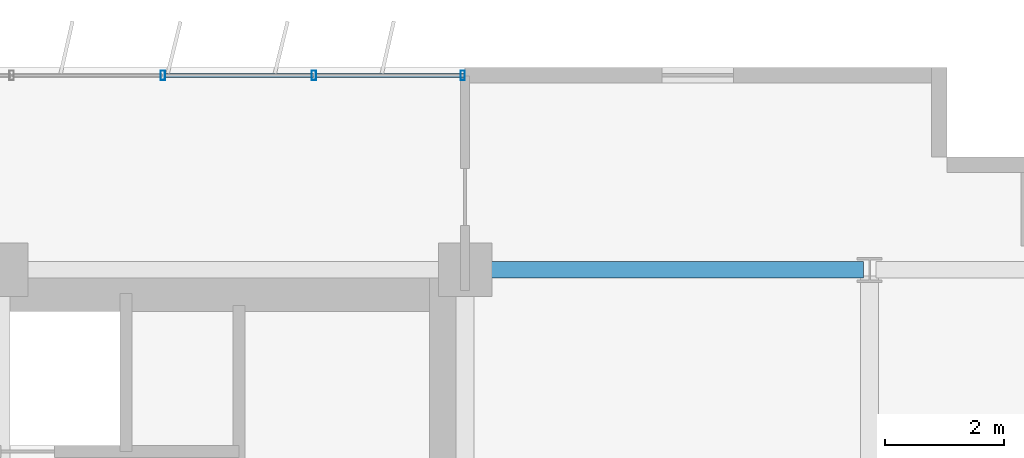
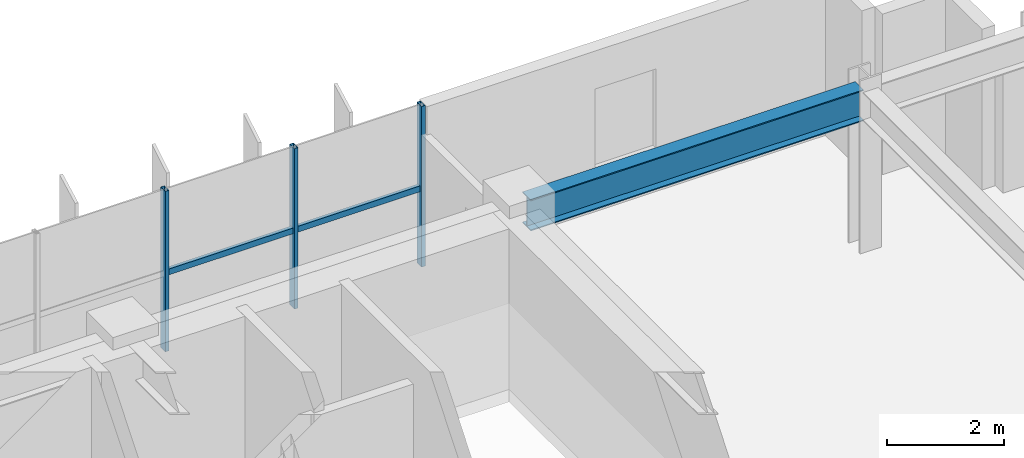
# One storey, part 12 of 22: 5 members, 1 beam, 1 element without a shape of its own.
"""IFC4 building model written with IfcOpenShell, lengths in metres."""

from ifc_helpers import new_model, si_unit, direction, frame, origin, origin_2d, place, context, subcontext, project, spatial, hollow_rectangle, i_section, extrude, source, transform, mapped, material, material_profile, profile_set, type_object, element, aggregate, save


model = new_model("IFC4")

# Units and contexts
model_context = context("Model", 3, precision=1e-05, world=origin(), true_north=direction((0.0, 1.0)))
body_context = subcontext(model_context, "Body", "Model", "MODEL_VIEW")
ifc_project = project(units=[si_unit("LENGTHUNIT", "METRE"), si_unit("AREAUNIT", "SQUARE_METRE"), si_unit("VOLUMEUNIT", "CUBIC_METRE"), si_unit("PLANEANGLEUNIT", "RADIAN"), si_unit("MASSUNIT", "GRAM", prefix="KILO")], contexts=[model_context])

# Site, building, storey
site_placement = place(None, origin())
site = spatial("IfcSite", under=ifc_project, at=site_placement, CompositionType="ELEMENT")
building_placement = place(site_placement, origin())
building = spatial("IfcBuilding", under=site, at=building_placement, Name="Trelvane Seafront Commons", CompositionType="ELEMENT")
storey_placement = place(building_placement, frame((0.0, 0.0, 55.89990234375)))
storey = spatial("IfcBuildingStorey", under=building, at=storey_placement, Name="L14", CompositionType="ELEMENT", Elevation=55.89990234375)

# Beam
ifc_material_1 = material(Name="Steel SM355 (S355)", Category="steel")
ifc_material_profile_1 = material_profile(ifc_material_1, i_section(OverallWidth=0.280029296875, OverallDepth=0.64990234375, WebThickness=0.012939453125, FlangeThickness=0.02197265625, at=origin_2d()), Name="H-650x280x13x22")
ifc_profile_set_1 = profile_set([ifc_material_profile_1], Name="Steel SM355 (S355)")
beam_type = type_object("IfcBeamType", Name="STR-BM-H650", PredefinedType="BEAM", material=ifc_profile_set_1)
shared_shape_1 = source(origin(), body_context, "Body", "SweptSolid", [
    extrude(i_section(OverallWidth=0.280029296875, OverallDepth=0.64990234375, WebThickness=0.012939453125, FlangeThickness=0.02197265625, at=origin_2d()), origin(), (0.0, 0.0, 1.0), 6.545166015625),
])
beam_placement = place(storey_placement, frame((58.949951171875, 45.10009765625, 3.01513671875), z_axis=(1.0, 0.0, 0.0), x_axis=(0.0, 1.0, 0.0)))
element("IfcBeam", 1, at=beam_placement, inside=storey, type_object=beam_type, Name="L14 Primary Girder G-35", PredefinedType="BEAM", context=body_context, shape_type="MappedRepresentation", body=[
    mapped(shared_shape_1, transform((0.0, 0.0, 0.0), x_axis=(1.0, 0.0, 0.0), y_axis=(0.0, 1.0, 0.0), z_axis=(0.0, 0.0, 1.0), scale=1.0)),
])

# Curtain wall, members
ifc_material_2 = material(Name="Anodised pale-silver aluminium", Category="aluminium")
curtain_wall_type = type_object("IfcCurtainWallType", Name="ARCH-CW2-LOWTOWER", PredefinedType="NOTDEFINED", material=ifc_material_2)
curtain_wall_placement = place(storey_placement, origin())
curtain_wall = element("IfcCurtainWall", 2, at=curtain_wall_placement, inside=storey, type_object=curtain_wall_type, Name="CW-L14-0038", PredefinedType="NOTDEFINED")
ifc_material_profile_2 = material_profile(ifc_material_2, hollow_rectangle(XDim=0.074951171875, YDim=0.159912109375, WallThickness=0.00390625, at=origin_2d()), Name="MULL-75x160x4")
ifc_profile_set_2 = profile_set([ifc_material_profile_2], Name="Anodised pale-silver aluminium")
member_type_1 = type_object("IfcMemberType", Name="ARCH-CW-MULL-160", PredefinedType="MULLION", material=ifc_profile_set_2)
shared_shape_2 = source(origin(), body_context, "Body", "SweptSolid", [
    extrude(hollow_rectangle(XDim=0.074951171875, YDim=0.159912109375, WallThickness=0.00390625, at=origin_2d()), origin(), (0.0, 0.0, 1.0), 3.340087890625),
])
member_1_placement = place(storey_placement, frame((53.717529296875, 48.3701171875, 0.0), z_axis=(0.0, 0.0, 1.0), x_axis=(1.0, 0.0, 0.0)))
member_1 = element("IfcMember", 3, at=member_1_placement, type_object=member_type_1, Name="CW-L14-0038-M15", PredefinedType="MULLION", context=body_context, shape_type="MappedRepresentation", body=[
    mapped(shared_shape_2, transform((0.0, 0.0, 0.0), x_axis=(1.0, 0.0, 0.0), y_axis=(0.0, 1.0, 0.0), z_axis=(0.0, 0.0, 1.0), scale=1.0)),
])
member_2_placement = place(storey_placement, frame((56.2587890625, 48.3701171875, 0.0), z_axis=(0.0, 0.0, 1.0), x_axis=(1.0, 0.0, 0.0)))
member_2 = element("IfcMember", 4, at=member_2_placement, type_object=member_type_1, Name="CW-L14-0038-M16", PredefinedType="MULLION", context=body_context, shape_type="MappedRepresentation", body=[
    mapped(shared_shape_2, transform((0.0, 0.0, 0.0), x_axis=(1.0, 0.0, 0.0), y_axis=(0.0, 1.0, 0.0), z_axis=(0.0, 0.0, 1.0), scale=1.0)),
])
member_3_placement = place(storey_placement, frame((58.760009765625, 48.3701171875, 0.0), z_axis=(0.0, 0.0, 1.0), x_axis=(1.0, 0.0, 0.0)))
member_3 = element("IfcMember", 5, at=member_3_placement, type_object=member_type_1, Name="CW-L14-0038-M17", PredefinedType="MULLION", context=body_context, shape_type="MappedRepresentation", body=[
    mapped(shared_shape_2, transform((0.0, 0.0, 0.0), x_axis=(1.0, 0.0, 0.0), y_axis=(0.0, 1.0, 0.0), z_axis=(0.0, 0.0, 1.0), scale=1.0)),
])
ifc_material_profile_3 = material_profile(ifc_material_2, hollow_rectangle(XDim=0.070068359375, YDim=0.1201171875, WallThickness=0.00390625, at=origin_2d()), Name="TRAN-70x120x4")
ifc_profile_set_3 = profile_set([ifc_material_profile_3], Name="Anodised pale-silver aluminium")
member_type_2 = type_object("IfcMemberType", Name="ARCH-CW-TRAN-120", PredefinedType="USERDEFINED", material=ifc_profile_set_3)
shared_shape_3 = source(origin(), body_context, "Body", "SweptSolid", [
    extrude(hollow_rectangle(XDim=0.070068359375, YDim=0.1201171875, WallThickness=0.00390625, at=origin_2d()), origin(), (0.0, 0.0, 1.0), 2.517333984375),
])
member_4_placement = place(storey_placement, frame((53.7294921875, 48.3701171875, 1.60302734375), z_axis=(1.0, 0.0, 0.0), x_axis=(0.0, 1.0, 0.0)))
member_4 = element("IfcMember", 6, at=member_4_placement, type_object=member_type_2, Name="CW-L14-0038-T15", ObjectType="TRANSOM", PredefinedType="USERDEFINED", context=body_context, shape_type="MappedRepresentation", body=[
    mapped(shared_shape_3, transform((0.0, 0.0, 0.0), x_axis=(1.0, 0.0, 0.0), y_axis=(0.0, 1.0, 0.0), z_axis=(0.0, 0.0, 1.0), scale=1.0)),
])
member_5_placement = place(storey_placement, frame((56.270751953125, 48.3701171875, 1.60302734375), z_axis=(1.0, 0.0, 0.0), x_axis=(0.0, 1.0, 0.0)))
member_5 = element("IfcMember", 7, at=member_5_placement, type_object=member_type_2, Name="CW-L14-0038-T16", ObjectType="TRANSOM", PredefinedType="USERDEFINED", context=body_context, shape_type="MappedRepresentation", body=[
    mapped(shared_shape_3, transform((0.0, 0.0, 0.0), x_axis=(1.0, 0.0, 0.0), y_axis=(0.0, 1.0, 0.0), z_axis=(0.0, 0.0, 1.0), scale=1.0)),
])
aggregate(curtain_wall, [member_1, member_2, member_3, member_4, member_5])

save(model, "model.ifc")
